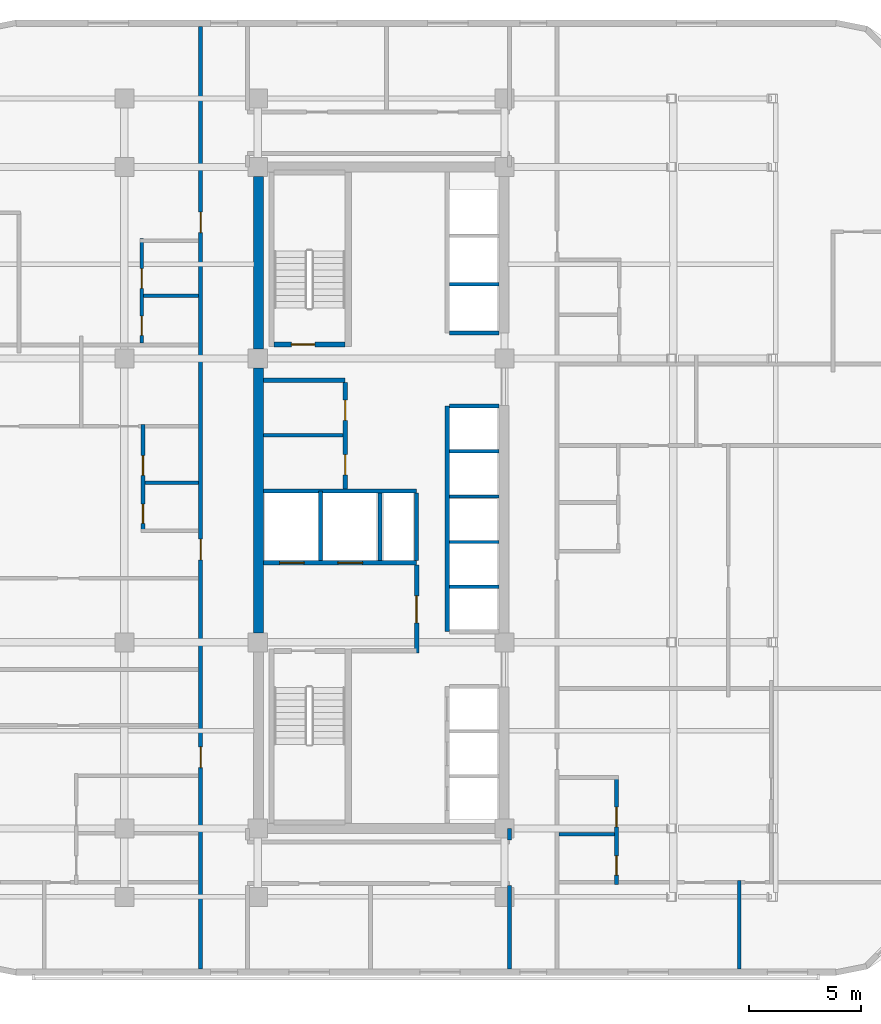
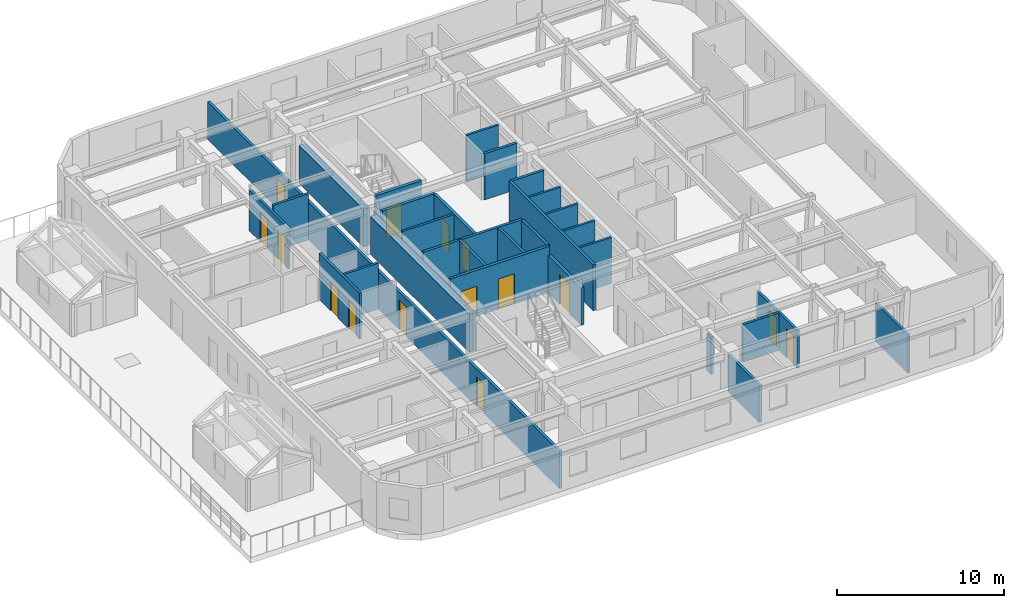
# One storey, part 12 of 19: 30 walls, 15 doors, 15 openings.
"""IFC4 building model written with IfcOpenShell, lengths in metres."""

import ifcopenshell
import ifcopenshell.guid

model = None  # the IFC model being written
_history = None  # IfcOwnerHistory: only IFC2X3 demands one
_inside = {}  # id of a spatial element -> (the spatial element, [elements in it])
_under = {}  # id of a project, library or spatial element -> (it, [spatial elements below it])
_declared = {}  # id of a project -> (the project, [libraries it declares])
_typed = {}  # id of a type object -> (the type object, [elements of that type])
_made_of = {}  # id of a material, layer set ... -> (it, [elements and type objects made of it])


def new_model(schema):
    """Start an empty IFC model of exactly this schema.

    Asked for "IFC4X3", IfcOpenShell would pick the latest addendum, in which some entities
    have other attributes; the version numbers below select the first issue.
    IFC2X3 requires an IfcOwnerHistory on every rooted entity: one is made here for all.
    """
    global model, _history
    if schema == "IFC4X3":
        model = ifcopenshell.file(schema_version=(4, 3, 0, 0))
    else:
        model = ifcopenshell.file(schema=schema)
    _inside.clear()
    _under.clear()
    _declared.clear()
    _typed.clear()
    _made_of.clear()
    _history = None
    if model.schema == "IFC2X3":
        org = make("IfcOrganization", Name="unknown")
        user = make(
            "IfcPersonAndOrganization",
            ThePerson=make("IfcPerson", FamilyName="unknown"),
            TheOrganization=org,
        )
        app = make(
            "IfcApplication",
            ApplicationDeveloper=org,
            Version="unknown",
            ApplicationFullName="unknown",
            ApplicationIdentifier="unknown",
        )
        _history = make(
            "IfcOwnerHistory",
            OwningUser=user,
            OwningApplication=app,
            ChangeAction="ADDED",
            CreationDate=0,
        )
    return model


def make(cls, **values):
    """One entity of the class cls with the attributes given. An attribute that is None is left unset."""
    return model.create_entity(
        cls, **{name: value for name, value in values.items() if value is not None}
    )


def rooted(cls, **values):
    """An entity with a GlobalId (a new one), such as an element, a storey or a relation."""
    return make(cls, GlobalId=ifcopenshell.guid.new(), OwnerHistory=_history, **values)


def si_unit(unit_type, name, prefix=None):
    """IfcSIUnit, for example si_unit("LENGTHUNIT", "METRE", prefix="MILLI")."""
    return make("IfcSIUnit", UnitType=unit_type, Prefix=prefix, Name=name)


def assignment(units):
    """IfcUnitAssignment: the units of a project."""
    return None if units is None else make("IfcUnitAssignment", Units=units)


def point(xyz):
    """IfcCartesianPoint."""
    return None if xyz is None else make("IfcCartesianPoint", Coordinates=xyz)


def direction(xyz):
    """IfcDirection."""
    return None if xyz is None else make("IfcDirection", DirectionRatios=xyz)


def frame(location, z_axis=None, x_axis=None):
    """IfcAxis2Placement3D, a coordinate frame: its origin and axes. An axis left out is left unset."""
    return make(
        "IfcAxis2Placement3D",
        Location=point(location),
        Axis=direction(z_axis),
        RefDirection=direction(x_axis),
    )


def frame_2d(location, x_axis=None):
    """IfcAxis2Placement2D, a coordinate frame in the plane: its origin and x axis."""
    return make(
        "IfcAxis2Placement2D", Location=point(location), RefDirection=direction(x_axis)
    )


def origin():
    """The frame at (0, 0, 0) with its axes left unset."""
    return frame((0.0, 0.0, 0.0))


def place(relative_to, where):
    """IfcLocalPlacement: puts the frame where relative to a parent placement (None: the world)."""
    return make(
        "IfcLocalPlacement", PlacementRelTo=relative_to, RelativePlacement=where
    )


def context(
    kind, dimensions, precision=None, world=None, true_north=None, identifier=None
):
    """IfcGeometricRepresentationContext, for example the 3D "Model" context."""
    return make(
        "IfcGeometricRepresentationContext",
        ContextIdentifier=identifier,
        ContextType=kind,
        CoordinateSpaceDimension=dimensions,
        Precision=precision,
        WorldCoordinateSystem=world,
        TrueNorth=true_north,
    )


def subcontext(parent, identifier, kind, view, scale=None):
    """IfcGeometricRepresentationSubContext, for example "Body" below "Model"."""
    return make(
        "IfcGeometricRepresentationSubContext",
        ContextIdentifier=identifier,
        ContextType=kind,
        ParentContext=parent,
        TargetScale=scale,
        TargetView=view,
    )


def project(units=None, contexts=None):
    """IfcProject with its units and contexts."""
    return rooted(
        "IfcProject",
        Name="project",
        RepresentationContexts=contexts,
        UnitsInContext=assignment(units),
    )


def spatial(cls, under=None, at=None, **own):
    """A site, building, storey or space (cls), placed at a placement, below another one or the project."""
    s = rooted(cls, ObjectPlacement=at, **own)
    if under is not None:
        _under.setdefault(under.id(), (under, []))[1].append(s)
    return s


def profile(cls, at=None, kind="AREA", **sizes):
    """A parametric profile (cls). Its sizes go by their IFC names, for example OverallWidth=200.0."""
    return make(cls, ProfileType=kind, Position=at, **sizes)


def rectangle(**sizes):
    """IfcRectangleProfileDef."""
    return profile("IfcRectangleProfileDef", **sizes)


def extrude(swept, where, along, depth):
    """IfcExtrudedAreaSolid: the profile swept, set in the frame where, extruded along a direction by depth."""
    return make(
        "IfcExtrudedAreaSolid",
        SweptArea=swept,
        Position=where,
        ExtrudedDirection=direction(along),
        Depth=depth,
    )


def shape(context_of_items, identifier, shape_type, items):
    """IfcShapeRepresentation: the items that make up one representation, for example the "Body"."""
    return make(
        "IfcShapeRepresentation",
        ContextOfItems=context_of_items,
        RepresentationIdentifier=identifier,
        RepresentationType=shape_type,
        Items=items,
    )


def material(Name=None, Category=None):
    """IfcMaterial."""
    return make("IfcMaterial", Name=Name, Category=Category)


def layer(
    of_material, thickness, ventilated=None, Name=None, Category=None, Priority=None
):
    """IfcMaterialLayer: one layer of a wall or slab, of a material (None: an air gap)."""
    return make(
        "IfcMaterialLayer",
        Material=of_material,
        LayerThickness=thickness,
        IsVentilated=ventilated,
        Name=Name,
        Category=Category,
        Priority=Priority,
    )


def layer_set(layers, Name=None):
    """IfcMaterialLayerSet."""
    return make("IfcMaterialLayerSet", MaterialLayers=layers, LayerSetName=Name)


def made_of(thing, what):
    """Note that an element or type object is made of a material, layer set ...; save() writes the relation."""
    if what is not None:
        _made_of.setdefault(what.id(), (what, []))[1].append(thing)
    return thing


def type_object(cls, material=None, **own):
    """A type object (cls), such as IfcWallType, which elements share."""
    return made_of(rooted(cls, **own), material)


def element(
    cls,
    number,
    at=None,
    inside=None,
    cuts=None,
    type_object=None,
    material=None,
    context=None,
    identifier="Body",
    shape_type=None,
    held_by="IfcProductDefinitionShape",
    body=None,
    shapes=None,
    **own,
):
    """One element of the class cls, such as IfcWall. Its Tag is "e" and its number.

    at: its placement. inside: the storey or other place that contains it. cuts: it is an
    opening in that element (IfcRelVoidsElement). A single representation is given by context,
    identifier, shape_type and body (its items); several are given by shapes. held_by: the class
    of the entity that holds the representations. save() writes the other relations.
    """
    e = rooted(cls, Tag="e%d" % number, ObjectPlacement=at, **own)
    if body is not None:
        shapes = [shape(context, identifier, shape_type, body)]
    if shapes is not None:
        e.Representation = make(held_by, Representations=shapes)
    if inside is not None:
        _inside.setdefault(inside.id(), (inside, []))[1].append(e)
    if cuts is not None:
        rooted(
            "IfcRelVoidsElement", RelatingBuildingElement=cuts, RelatedOpeningElement=e
        )
    if type_object is not None:
        _typed.setdefault(type_object.id(), (type_object, []))[1].append(e)
    return made_of(e, material)


def fill(opening, filler):
    """IfcRelFillsElement: the door or window that sits in an opening."""
    return rooted(
        "IfcRelFillsElement",
        RelatingOpeningElement=opening,
        RelatedBuildingElement=filler,
    )


def aggregate(whole, parts):
    """IfcRelAggregates: a whole, such as a stair, and the parts it consists of."""
    return rooted("IfcRelAggregates", RelatingObject=whole, RelatedObjects=parts)


def save(model, path):
    """Write the relations noted so far, then the file.

    IfcRelAggregates (storeys below a building ...), IfcRelContainedInSpatialStructure (elements
    in a storey), IfcRelDefinesByType, IfcRelAssociatesMaterial and IfcRelDeclares: one each for
    every whole, place, type object, material and project.
    """
    for whole, parts in _under.values():
        aggregate(whole, parts)
    for where, things in _inside.values():
        rooted(
            "IfcRelContainedInSpatialStructure",
            RelatedElements=things,
            RelatingStructure=where,
        )
    for kind, things in _typed.values():
        rooted("IfcRelDefinesByType", RelatedObjects=things, RelatingType=kind)
    for what, things in _made_of.values():
        rooted("IfcRelAssociatesMaterial", RelatedObjects=things, RelatingMaterial=what)
    for by, libraries in _declared.values():
        rooted("IfcRelDeclares", RelatingContext=by, RelatedDefinitions=libraries)
    model.write(path)


model = new_model("IFC4")

# Units and contexts
model_context = context("Model", 3, precision=1e-05, world=origin(), true_north=direction((0.0, 1.0)))
body_context = subcontext(model_context, "Body", "Model", "MODEL_VIEW")
ifc_project = project(units=[si_unit("LENGTHUNIT", "METRE"), si_unit("AREAUNIT", "SQUARE_METRE"), si_unit("VOLUMEUNIT", "CUBIC_METRE"), si_unit("PLANEANGLEUNIT", "RADIAN"), si_unit("MASSUNIT", "GRAM", prefix="KILO")], contexts=[model_context])

# Site, building, storey
site_placement = place(None, origin())
site = spatial("IfcSite", under=ifc_project, at=site_placement, CompositionType="ELEMENT")
building_placement = place(site_placement, origin())
building = spatial("IfcBuilding", under=site, at=building_placement, Name="Ochreholt Gables", CompositionType="ELEMENT")
storey_placement = place(building_placement, frame((0.0, 0.0, 76.800048828125)))
storey = spatial("IfcBuildingStorey", under=building, at=storey_placement, Name="L19", CompositionType="ELEMENT", Elevation=76.800048828125)

# Walls
ifc_material_1 = material(Name="Concrete 60 MPa", Category="concrete")
ifc_layer_1 = layer(ifc_material_1, 0.449951171875, Name="Concrete 60 MPa")
ifc_layer_set_1 = layer_set([ifc_layer_1], Name="Concrete 60 MPa")
wall_type_1 = type_object("IfcWallType", Name="WALL-CSW-450", PredefinedType="SHEAR", material=ifc_layer_set_1)
wall_1_placement = place(storey_placement, frame((24.22509765625, 17.97509765625, 0.0), z_axis=(0.0, 0.0, 1.0), x_axis=(0.0, 1.0, 0.0)))
element("IfcWall", 1, at=wall_1_placement, inside=storey, type_object=wall_type_1, Name="L19 Core West Shear Wall WM", PredefinedType="SHEAR", context=body_context, shape_type="SweptSolid", body=[
    extrude(rectangle(XDim=11.7998046875, YDim=0.449951171875, at=frame_2d((5.89990234375, 0.0))), origin(), (0.0, 0.0, 1.0), 2.7490234375),
])
wall_2_placement = place(storey_placement, frame((24.22509765625, 30.625, 0.0), z_axis=(0.0, 0.0, 1.0), x_axis=(0.0, 1.0, 0.0)))
element("IfcWall", 2, at=wall_2_placement, inside=storey, type_object=wall_type_1, Name="L19 Core West Shear Wall WN", PredefinedType="SHEAR", context=body_context, shape_type="SweptSolid", body=[
    extrude(rectangle(XDim=7.699951171875, YDim=0.449951171875, at=frame_2d((3.85009765625, 0.0))), origin(), (0.0, 0.0, 1.0), 2.7490234375),
])

# Wall, openings, doors
ifc_material_2 = material(Name="Concrete 40 MPa", Category="concrete")
ifc_layer_2 = layer(ifc_material_2, 0.199951171875, Name="Concrete 40 MPa")
ifc_layer_set_2 = layer_set([ifc_layer_2], Name="Concrete 40 MPa")
wall_type_2 = type_object("IfcWallType", Name="WALL-INT-CF200", PredefinedType="STANDARD", material=ifc_layer_set_2)
wall_3_placement = place(storey_placement, frame((24.449951171875, 21.090087890625, 0.0), z_axis=(0.0, 0.0, 1.0), x_axis=(1.0, 0.0, 0.0)))
wall_3 = element("IfcWall", 3, at=wall_3_placement, inside=storey, type_object=wall_type_2, Name="L19 Interior Wall WI-FFN-L19", PredefinedType="STANDARD", context=body_context, shape_type="SweptSolid", body=[
    extrude(rectangle(XDim=6.830078125, YDim=0.199951171875, at=frame_2d((3.4150390625, 0.0))), origin(), (0.0, 0.0, 1.0), 3.35986328125),
])
opening_1_placement = place(wall_3_placement, frame((0.719970703125, 0.0, 0.0)))
opening_1 = element("IfcOpeningElement", 4, at=opening_1_placement, cuts=wall_3, Name="Opening LD-FF", PredefinedType="OPENING", context=body_context, shape_type="SweptSolid", body=[
    extrude(rectangle(XDim=1.10009765625, YDim=2.199951171875, at=frame_2d((0.550048828125, 1.10009765625))), frame((0.0, 0.10986328125, 0.0), z_axis=(0.0, -1.0, 0.0), x_axis=(1.0, 0.0, 0.0)), (0.0, 0.0, 1.0), 0.219970703125),
])
opening_2_placement = place(wall_3_placement, frame((3.320068359375, 0.0, 0.0)))
opening_2 = element("IfcOpeningElement", 5, at=opening_2_placement, cuts=wall_3, Name="Opening LD-FF", PredefinedType="OPENING", context=body_context, shape_type="SweptSolid", body=[
    extrude(rectangle(XDim=1.10009765625, YDim=2.199951171875, at=frame_2d((0.550048828125, 1.10009765625))), frame((0.0, 0.10986328125, 0.0), z_axis=(0.0, -1.0, 0.0), x_axis=(1.0, 0.0, 0.0)), (0.0, 0.0, 1.0), 0.219970703125),
])
ifc_material_3 = material(Name="Stainless Steel", Category="steel")
door_type_1 = type_object("IfcDoorType", Name="DR-LFT-FF1100", OperationType="NOTDEFINED", PredefinedType="DOOR", material=ifc_material_3)
door_1_placement = place(opening_1_placement, origin())
door_1 = element("IfcDoor", 6, at=door_1_placement, inside=storey, type_object=door_type_1, Name="L19 Door LD-FF1-L19", OperationType="SLIDING_TO_LEFT", OverallHeight=2.199951171875, OverallWidth=1.10009765625, PredefinedType="DOOR", context=body_context, shape_type="SweptSolid", body=[
    extrude(rectangle(XDim=1.10009765625, YDim=2.199951171875, at=frame_2d((0.550048828125, 1.10009765625))), frame((0.0, 0.02490234375, 0.0), z_axis=(0.0, -1.0, 0.0), x_axis=(1.0, 0.0, 0.0)), (0.0, 0.0, 1.0), 0.050048828125),
])
fill(opening_1, door_1)
door_2_placement = place(opening_2_placement, origin())
door_2 = element("IfcDoor", 7, at=door_2_placement, inside=storey, type_object=door_type_1, Name="L19 Door LD-FF2-L19", OperationType="SLIDING_TO_LEFT", OverallHeight=2.199951171875, OverallWidth=1.10009765625, PredefinedType="DOOR", context=body_context, shape_type="SweptSolid", body=[
    extrude(rectangle(XDim=1.10009765625, YDim=2.199951171875, at=frame_2d((0.550048828125, 1.10009765625))), frame((0.0, 0.02490234375, 0.0), z_axis=(0.0, -1.0, 0.0), x_axis=(1.0, 0.0, 0.0)), (0.0, 0.0, 1.0), 0.050048828125),
])
fill(opening_2, door_2)

# Wall, opening, door
wall_4_placement = place(storey_placement, frame((31.280029296875, 17.070068359375, 0.0), z_axis=(0.0, 0.0, 1.0), x_axis=(0.0, 1.0, 0.0)))
wall_4 = element("IfcWall", 8, at=wall_4_placement, inside=storey, type_object=wall_type_2, Name="L19 Interior Wall WI-FFE-L19", PredefinedType="STANDARD", context=body_context, shape_type="SweptSolid", body=[
    extrude(rectangle(XDim=3.919921875, YDim=0.199951171875, at=frame_2d((1.9599609375, 0.0))), origin(), (0.0, 0.0, 1.0), 2.73095703125),
])
opening_3_placement = place(wall_4_placement, frame((1.35009765625, 0.0, 0.0)))
opening_3 = element("IfcOpeningElement", 9, at=opening_3_placement, cuts=wall_4, Name="Opening D-FFL", PredefinedType="OPENING", context=body_context, shape_type="SweptSolid", body=[
    extrude(rectangle(XDim=1.199951171875, YDim=2.14990234375, at=frame_2d((0.60009765625, 1.074951171875))), frame((0.0, 0.10986328125, 0.0), z_axis=(0.0, -1.0, 0.0), x_axis=(1.0, 0.0, 0.0)), (0.0, 0.0, 1.0), 0.219970703125),
])
ifc_material_4 = material(Name="Hollow Metal Steel", Category="steel")
door_type_2 = type_object("IfcDoorType", Name="DR-INT-FFL1200", OperationType="NOTDEFINED", PredefinedType="DOOR", material=ifc_material_4)
door_3_placement = place(opening_3_placement, origin())
door_3 = element("IfcDoor", 10, at=door_3_placement, inside=storey, type_object=door_type_2, Name="L19 Door D-FFL-L19", OperationType="SINGLE_SWING_LEFT", OverallHeight=2.14990234375, OverallWidth=1.199951171875, PredefinedType="DOOR", context=body_context, shape_type="SweptSolid", body=[
    extrude(rectangle(XDim=1.199951171875, YDim=2.14990234375, at=frame_2d((0.60009765625, 1.074951171875))), frame((0.0, 0.02490234375, 0.0), z_axis=(0.0, -1.0, 0.0), x_axis=(1.0, 0.0, 0.0)), (0.0, 0.0, 1.0), 0.050048828125),
])
fill(opening_3, door_3)

# Wall
wall_5_placement = place(storey_placement, frame((24.449951171875, 29.239990234375, 0.0), z_axis=(0.0, 0.0, 1.0), x_axis=(1.0, 0.0, 0.0)))
element("IfcWall", 11, at=wall_5_placement, inside=storey, type_object=wall_type_2, Name="L19 Interior Wall WI-SRVN-L19", PredefinedType="STANDARD", context=body_context, shape_type="SweptSolid", body=[
    extrude(rectangle(XDim=3.650146484375, YDim=0.199951171875, at=frame_2d((1.8251953125, 0.0))), origin(), (0.0, 0.0, 1.0), 3.35986328125),
])

# Wall, openings, doors
wall_6_placement = place(storey_placement, frame((28.10009765625, 24.389892578125, 0.0), z_axis=(0.0, 0.0, 1.0), x_axis=(0.0, 1.0, 0.0)))
wall_6 = element("IfcWall", 12, at=wall_6_placement, inside=storey, type_object=wall_type_2, Name="L19 Interior Wall WI-SRVE-L19", PredefinedType="STANDARD", context=body_context, shape_type="SweptSolid", body=[
    extrude(rectangle(XDim=4.75, YDim=0.199951171875, at=frame_2d((2.375, 0.0))), origin(), (0.0, 0.0, 1.0), 3.35986328125),
])
opening_4_placement = place(wall_6_placement, frame((0.6298828125, 0.0, 0.0)))
opening_4 = element("IfcOpeningElement", 13, at=opening_4_placement, cuts=wall_6, Name="Opening D-SV1", PredefinedType="OPENING", context=body_context, shape_type="SweptSolid", body=[
    extrude(rectangle(XDim=0.89990234375, YDim=2.10009765625, at=frame_2d((0.449951171875, 1.050048828125))), frame((0.0, 0.10986328125, 0.0), z_axis=(0.0, -1.0, 0.0), x_axis=(1.0, 0.0, 0.0)), (0.0, 0.0, 1.0), 0.219970703125),
])
opening_5_placement = place(wall_6_placement, frame((3.06005859375, 0.0, 0.0)))
opening_5 = element("IfcOpeningElement", 14, at=opening_5_placement, cuts=wall_6, Name="Opening D-SV1", PredefinedType="OPENING", context=body_context, shape_type="SweptSolid", body=[
    extrude(rectangle(XDim=0.89990234375, YDim=2.10009765625, at=frame_2d((0.449951171875, 1.050048828125))), frame((0.0, 0.10986328125, 0.0), z_axis=(0.0, -1.0, 0.0), x_axis=(1.0, 0.0, 0.0)), (0.0, 0.0, 1.0), 0.219970703125),
])
door_type_3 = type_object("IfcDoorType", Name="DR-INT-SRV900", OperationType="NOTDEFINED", PredefinedType="DOOR", material=ifc_material_4)
door_4_placement = place(opening_4_placement, origin())
door_4 = element("IfcDoor", 15, at=door_4_placement, inside=storey, type_object=door_type_3, Name="L19 Door D-SRV1-L19", OperationType="SINGLE_SWING_LEFT", OverallHeight=2.10009765625, OverallWidth=0.89990234375, PredefinedType="DOOR", context=body_context, shape_type="SweptSolid", body=[
    extrude(rectangle(XDim=0.89990234375, YDim=2.10009765625, at=frame_2d((0.449951171875, 1.050048828125))), frame((0.0, 0.02490234375, 0.0), z_axis=(0.0, -1.0, 0.0), x_axis=(1.0, 0.0, 0.0)), (0.0, 0.0, 1.0), 0.050048828125),
])
fill(opening_4, door_4)
door_5_placement = place(opening_5_placement, origin())
door_5 = element("IfcDoor", 16, at=door_5_placement, inside=storey, type_object=door_type_3, Name="L19 Door D-SRV2-L19", OperationType="SINGLE_SWING_RIGHT", OverallHeight=2.10009765625, OverallWidth=0.89990234375, PredefinedType="DOOR", context=body_context, shape_type="SweptSolid", body=[
    extrude(rectangle(XDim=0.89990234375, YDim=2.10009765625, at=frame_2d((0.449951171875, 1.050048828125))), frame((0.0, 0.02490234375, 0.0), z_axis=(0.0, -1.0, 0.0), x_axis=(1.0, 0.0, 0.0)), (0.0, 0.0, 1.0), 0.050048828125),
])
fill(opening_5, door_5)

ifc_material_5 = material(Name="Fire-Rated Gypsum Acoustic Partition", Category="gypsum")
ifc_layer_3 = layer(ifc_material_5, 0.179931640625, Name="Fire-Rated Gypsum Acoustic Partition")
ifc_layer_set_3 = layer_set([ifc_layer_3], Name="Fire-Rated Gypsum Acoustic Partition")
wall_type_3 = type_object("IfcWallType", Name="WALL-INT-CR180", PredefinedType="STANDARD", material=ifc_layer_set_3)
wall_7_placement = place(storey_placement, frame((21.64990234375, 2.97998046875, 0.0), z_axis=(0.0, 0.0, 1.0), x_axis=(0.0, 1.0, 0.0)))
wall_7 = element("IfcWall", 17, at=wall_7_placement, inside=storey, type_object=wall_type_3, Name="L19 Interior Wall WI-C1W-L19", PredefinedType="STANDARD", context=body_context, shape_type="SweptSolid", body=[
    extrude(rectangle(XDim=42.0400390625, YDim=0.179931640625, at=frame_2d((21.02001953125, 0.0))), origin(), (0.0, 0.0, 1.0), 2.73095703125),
])
opening_6_placement = place(wall_7_placement, frame((8.98388671875, 0.0, 0.0)))
opening_6 = element("IfcOpeningElement", 18, at=opening_6_placement, cuts=wall_7, Name="Opening D-UN1", PredefinedType="OPENING", context=body_context, shape_type="SweptSolid", body=[
    extrude(rectangle(XDim=0.919921875, YDim=2.14990234375, at=frame_2d((0.4599609375, 1.074951171875))), frame((0.0, 0.099853515625, 0.0), z_axis=(0.0, -1.0, 0.0), x_axis=(1.0, 0.0, 0.0)), (0.0, 0.0, 1.0), 0.199951171875),
])
opening_7_placement = place(wall_7_placement, frame((18.24609375, 0.0, 0.0)))
opening_7 = element("IfcOpeningElement", 19, at=opening_7_placement, cuts=wall_7, Name="Opening D-UN1", PredefinedType="OPENING", context=body_context, shape_type="SweptSolid", body=[
    extrude(rectangle(XDim=0.919921875, YDim=2.14990234375, at=frame_2d((0.4599609375, 1.074951171875))), frame((0.0, 0.099853515625, 0.0), z_axis=(0.0, -1.0, 0.0), x_axis=(1.0, 0.0, 0.0)), (0.0, 0.0, 1.0), 0.199951171875),
])
opening_8_placement = place(wall_7_placement, frame((32.8359375, 0.0, 0.0)))
opening_8 = element("IfcOpeningElement", 20, at=opening_8_placement, cuts=wall_7, Name="Opening D-UN1", PredefinedType="OPENING", context=body_context, shape_type="SweptSolid", body=[
    extrude(rectangle(XDim=0.919921875, YDim=2.14990234375, at=frame_2d((0.4599609375, 1.074951171875))), frame((0.0, 0.099853515625, 0.0), z_axis=(0.0, -1.0, 0.0), x_axis=(1.0, 0.0, 0.0)), (0.0, 0.0, 1.0), 0.199951171875),
])
ifc_material_6 = material(Name="Engineered Oak Timber", Category="wood")
door_type_4 = type_object("IfcDoorType", Name="DR-INT-UNT920", OperationType="NOTDEFINED", PredefinedType="DOOR", material=ifc_material_6)
door_6_placement = place(opening_6_placement, origin())
door_6 = element("IfcDoor", 21, at=door_6_placement, inside=storey, type_object=door_type_4, Name="L19 Door D-U-L19W1-ENT", OperationType="SINGLE_SWING_LEFT", OverallHeight=2.14990234375, OverallWidth=0.919921875, PredefinedType="DOOR", context=body_context, shape_type="SweptSolid", body=[
    extrude(rectangle(XDim=0.919921875, YDim=2.14990234375, at=frame_2d((0.4599609375, 1.074951171875))), frame((0.0, 0.02490234375, 0.0), z_axis=(0.0, -1.0, 0.0), x_axis=(1.0, 0.0, 0.0)), (0.0, 0.0, 1.0), 0.050048828125),
])
fill(opening_6, door_6)
door_7_placement = place(opening_7_placement, origin())
door_7 = element("IfcDoor", 22, at=door_7_placement, inside=storey, type_object=door_type_4, Name="L19 Door D-U-L19W2-ENT", OperationType="SINGLE_SWING_RIGHT", OverallHeight=2.14990234375, OverallWidth=0.919921875, PredefinedType="DOOR", context=body_context, shape_type="SweptSolid", body=[
    extrude(rectangle(XDim=0.919921875, YDim=2.14990234375, at=frame_2d((0.4599609375, 1.074951171875))), frame((0.0, 0.02490234375, 0.0), z_axis=(0.0, -1.0, 0.0), x_axis=(1.0, 0.0, 0.0)), (0.0, 0.0, 1.0), 0.050048828125),
])
fill(opening_7, door_7)
door_8_placement = place(opening_8_placement, origin())
door_8 = element("IfcDoor", 23, at=door_8_placement, inside=storey, type_object=door_type_4, Name="L19 Door D-U-L19W3-ENT", OperationType="SINGLE_SWING_LEFT", OverallHeight=2.14990234375, OverallWidth=0.919921875, PredefinedType="DOOR", context=body_context, shape_type="SweptSolid", body=[
    extrude(rectangle(XDim=0.919921875, YDim=2.14990234375, at=frame_2d((0.4599609375, 1.074951171875))), frame((0.0, 0.02490234375, 0.0), z_axis=(0.0, -1.0, 0.0), x_axis=(1.0, 0.0, 0.0)), (0.0, 0.0, 1.0), 0.050048828125),
])
fill(opening_8, door_8)

# Walls
wall_8_placement = place(storey_placement, frame((35.419921875, 8.739990234375, 0.0), z_axis=(0.0, 0.0, 1.0), x_axis=(0.0, 1.0, 0.0)))
element("IfcWall", 24, at=wall_8_placement, inside=storey, type_object=wall_type_3, Name="L19 Interior Wall WI-C1ESW2-L19", PredefinedType="STANDARD", context=body_context, shape_type="SweptSolid", body=[
    extrude(rectangle(XDim=0.510009765625, YDim=0.179931640625, at=frame_2d((0.2548828125, 0.0))), origin(), (0.0, 0.0, 1.0), 2.73095703125),
])
ifc_material_7 = material(Name="Double-Stud Acoustic Demising Wall", Category="gypsum")
ifc_layer_4 = layer(ifc_material_7, 0.179931640625, Name="Double-Stud Acoustic Demising Wall")
ifc_layer_set_4 = layer_set([ifc_layer_4], Name="Double-Stud Acoustic Demising Wall")
wall_type_4 = type_object("IfcWallType", Name="WALL-INT-DM180", PredefinedType="PARTITIONING", material=ifc_layer_set_4)
wall_9_placement = place(storey_placement, frame((35.419921875, 2.97998046875, 0.0), z_axis=(0.0, 0.0, 1.0), x_axis=(0.0, 1.0, 0.0)))
element("IfcWall", 25, at=wall_9_placement, inside=storey, type_object=wall_type_4, Name="L19 Interior Wall WI-C1ESW-L19", PredefinedType="PARTITIONING", context=body_context, shape_type="SweptSolid", body=[
    extrude(rectangle(XDim=3.72998046875, YDim=0.179931640625, at=frame_2d((1.864990234375, 0.0))), origin(), (0.0, 0.0, 1.0), 2.73095703125),
])

# Wall, openings, doors
ifc_material_8 = material(Name="Moisture-Resistant Plumbing Chase Wall", Category="gypsum")
ifc_layer_5 = layer(ifc_material_8, 0.159912109375, Name="Moisture-Resistant Plumbing Chase Wall")
ifc_layer_set_5 = layer_set([ifc_layer_5], Name="Moisture-Resistant Plumbing Chase Wall")
wall_type_5 = type_object("IfcWallType", Name="WALL-INT-PL160", PredefinedType="PLUMBINGWALL", material=ifc_layer_set_5)
wall_10_placement = place(storey_placement, frame((40.196044921875, 6.75, 0.0), z_axis=(0.0, 0.0, 1.0), x_axis=(0.0, 1.0, 0.0)))
wall_10 = element("IfcWall", 26, at=wall_10_placement, inside=storey, type_object=wall_type_5, Name="L19 Interior Wall WU-L19E1-WX", PredefinedType="PLUMBINGWALL", context=body_context, shape_type="SweptSolid", body=[
    extrude(rectangle(XDim=4.8583984375, YDim=0.159912109375, at=frame_2d((2.42919921875, 0.0))), origin(), (0.0, 0.0, 1.0), 2.73095703125),
])
opening_9_placement = place(wall_10_placement, frame((0.419921875, 0.0, 0.0)))
opening_9 = element("IfcOpeningElement", 27, at=opening_9_placement, cuts=wall_10, Name="Opening D-BT1", PredefinedType="OPENING", context=body_context, shape_type="SweptSolid", body=[
    extrude(rectangle(XDim=0.860107421875, YDim=2.1201171875, at=frame_2d((0.43017578125, 1.06005859375))), frame((0.0, 0.08984375, 0.0), z_axis=(0.0, -1.0, 0.0), x_axis=(1.0, 0.0, 0.0)), (0.0, 0.0, 1.0), 0.179931640625),
])
opening_10_placement = place(wall_10_placement, frame((2.572021484375, 0.0, 0.0)))
opening_10 = element("IfcOpeningElement", 28, at=opening_10_placement, cuts=wall_10, Name="Opening D-GN2", PredefinedType="OPENING", context=body_context, shape_type="SweptSolid", body=[
    extrude(rectangle(XDim=0.8798828125, YDim=2.1201171875, at=frame_2d((0.43994140625, 1.06005859375))), frame((0.0, 0.08984375, 0.0), z_axis=(0.0, -1.0, 0.0), x_axis=(1.0, 0.0, 0.0)), (0.0, 0.0, 1.0), 0.179931640625),
])
door_type_5 = type_object("IfcDoorType", Name="DR-INT-BTH860", OperationType="NOTDEFINED", PredefinedType="DOOR", material=ifc_material_6)
door_9_placement = place(opening_9_placement, origin())
door_9 = element("IfcDoor", 29, at=door_9_placement, inside=storey, type_object=door_type_5, Name="L19 Door D-U-L19E1-BTH", OperationType="SINGLE_SWING_LEFT", OverallHeight=2.1201171875, OverallWidth=0.860107421875, PredefinedType="DOOR", context=body_context, shape_type="SweptSolid", body=[
    extrude(rectangle(XDim=0.860107421875, YDim=2.1201171875, at=frame_2d((0.43017578125, 1.06005859375))), frame((0.0, 0.02490234375, 0.0), z_axis=(0.0, -1.0, 0.0), x_axis=(1.0, 0.0, 0.0)), (0.0, 0.0, 1.0), 0.050048828125),
])
fill(opening_9, door_9)
door_type_6 = type_object("IfcDoorType", Name="DR-INT-GEN880", OperationType="NOTDEFINED", PredefinedType="DOOR", material=ifc_material_6)
door_10_placement = place(opening_10_placement, origin())
door_10 = element("IfcDoor", 30, at=door_10_placement, inside=storey, type_object=door_type_6, Name="L19 Door D-U-L19E1-KIT", OperationType="SINGLE_SWING_RIGHT", OverallHeight=2.1201171875, OverallWidth=0.8798828125, PredefinedType="DOOR", context=body_context, shape_type="SweptSolid", body=[
    extrude(rectangle(XDim=0.8798828125, YDim=2.1201171875, at=frame_2d((0.43994140625, 1.06005859375))), frame((0.0, 0.02490234375, 0.0), z_axis=(0.0, -1.0, 0.0), x_axis=(1.0, 0.0, 0.0)), (0.0, 0.0, 1.0), 0.050048828125),
])
fill(opening_10, door_10)

# Wall
wall_11_placement = place(storey_placement, frame((37.639892578125, 8.9921875, 0.0), z_axis=(0.0, 0.0, 1.0), x_axis=(1.0, 0.0, 0.0)))
element("IfcWall", 31, at=wall_11_placement, inside=storey, type_object=wall_type_5, Name="L19 Interior Wall WU-L19E1-WK", PredefinedType="PLUMBINGWALL", context=body_context, shape_type="SweptSolid", body=[
    extrude(rectangle(XDim=2.47607421875, YDim=0.159912109375, at=frame_2d((1.238037109375, 0.0))), origin(), (0.0, 0.0, 1.0), 2.73095703125),
])

# Wall, openings, doors
wall_12_placement = place(storey_placement, frame((19.080078125, 22.43603515625, 0.0), z_axis=(0.0, 0.0, 1.0), x_axis=(0.0, 1.0, 0.0)))
wall_12 = element("IfcWall", 32, at=wall_12_placement, inside=storey, type_object=wall_type_5, Name="L19 Interior Wall WU-L19W2-WX", PredefinedType="PLUMBINGWALL", context=body_context, shape_type="SweptSolid", body=[
    extrude(rectangle(XDim=4.830078125, YDim=0.159912109375, at=frame_2d((2.4150390625, 0.0))), origin(), (0.0, 0.0, 1.0), 3.35986328125),
])
opening_11_placement = place(wall_12_placement, frame((0.419921875, 0.0, 0.0)))
opening_11 = element("IfcOpeningElement", 33, at=opening_11_placement, cuts=wall_12, Name="Opening D-BT1", PredefinedType="OPENING", context=body_context, shape_type="SweptSolid", body=[
    extrude(rectangle(XDim=0.860107421875, YDim=2.1201171875, at=frame_2d((0.43017578125, 1.06005859375))), frame((0.0, 0.08984375, 0.0), z_axis=(0.0, -1.0, 0.0), x_axis=(1.0, 0.0, 0.0)), (0.0, 0.0, 1.0), 0.179931640625),
])
opening_12_placement = place(wall_12_placement, frame((2.55908203125, 0.0, 0.0)))
opening_12 = element("IfcOpeningElement", 34, at=opening_12_placement, cuts=wall_12, Name="Opening D-GN2", PredefinedType="OPENING", context=body_context, shape_type="SweptSolid", body=[
    extrude(rectangle(XDim=0.8798828125, YDim=2.1201171875, at=frame_2d((0.43994140625, 1.06005859375))), frame((0.0, 0.08984375, 0.0), z_axis=(0.0, -1.0, 0.0), x_axis=(1.0, 0.0, 0.0)), (0.0, 0.0, 1.0), 0.179931640625),
])
door_11_placement = place(opening_11_placement, origin())
door_11 = element("IfcDoor", 35, at=door_11_placement, inside=storey, type_object=door_type_5, Name="L19 Door D-U-L19W2-BTH", OperationType="SINGLE_SWING_LEFT", OverallHeight=2.1201171875, OverallWidth=0.860107421875, PredefinedType="DOOR", context=body_context, shape_type="SweptSolid", body=[
    extrude(rectangle(XDim=0.860107421875, YDim=2.1201171875, at=frame_2d((0.43017578125, 1.06005859375))), frame((0.0, 0.02490234375, 0.0), z_axis=(0.0, -1.0, 0.0), x_axis=(1.0, 0.0, 0.0)), (0.0, 0.0, 1.0), 0.050048828125),
])
fill(opening_11, door_11)
door_12_placement = place(opening_12_placement, origin())
door_12 = element("IfcDoor", 36, at=door_12_placement, inside=storey, type_object=door_type_6, Name="L19 Door D-U-L19W2-KIT", OperationType="SINGLE_SWING_RIGHT", OverallHeight=2.1201171875, OverallWidth=0.8798828125, PredefinedType="DOOR", context=body_context, shape_type="SweptSolid", body=[
    extrude(rectangle(XDim=0.8798828125, YDim=2.1201171875, at=frame_2d((0.43994140625, 1.06005859375))), frame((0.0, 0.02490234375, 0.0), z_axis=(0.0, -1.0, 0.0), x_axis=(1.0, 0.0, 0.0)), (0.0, 0.0, 1.0), 0.050048828125),
])
fill(opening_12, door_12)

# Wall
wall_13_placement = place(storey_placement, frame((19.159912109375, 24.6650390625, 0.0), z_axis=(0.0, 0.0, 1.0), x_axis=(1.0, 0.0, 0.0)))
element("IfcWall", 37, at=wall_13_placement, inside=storey, type_object=wall_type_5, Name="L19 Interior Wall WU-L19W2-WK", PredefinedType="PLUMBINGWALL", context=body_context, shape_type="SweptSolid", body=[
    extrude(rectangle(XDim=2.400146484375, YDim=0.159912109375, at=frame_2d((1.2001953125, 0.0))), origin(), (0.0, 0.0, 1.0), 3.35986328125),
])

# Wall, openings, doors
wall_14_placement = place(storey_placement, frame((19.033935546875, 30.906005859375, 0.0), z_axis=(0.0, 0.0, 1.0), x_axis=(0.0, 1.0, 0.0)))
wall_14 = element("IfcWall", 38, at=wall_14_placement, inside=storey, type_object=wall_type_5, Name="L19 Interior Wall WU-L19W3-WX", PredefinedType="PLUMBINGWALL", context=body_context, shape_type="SweptSolid", body=[
    extrude(rectangle(XDim=4.639892578125, YDim=0.159912109375, at=frame_2d((2.31982421875, 0.0))), origin(), (0.0, 0.0, 1.0), 2.988037109375),
])
opening_13_placement = place(wall_14_placement, frame((0.330078125, 0.0, 0.0)))
opening_13 = element("IfcOpeningElement", 39, at=opening_13_placement, cuts=wall_14, Name="Opening D-BT1", PredefinedType="OPENING", context=body_context, shape_type="SweptSolid", body=[
    extrude(rectangle(XDim=0.860107421875, YDim=2.1201171875, at=frame_2d((0.43017578125, 1.06005859375))), frame((0.0, 0.08984375, 0.0), z_axis=(0.0, -1.0, 0.0), x_axis=(1.0, 0.0, 0.0)), (0.0, 0.0, 1.0), 0.179931640625),
])
opening_14_placement = place(wall_14_placement, frame((2.423095703125, 0.0, 0.0)))
opening_14 = element("IfcOpeningElement", 40, at=opening_14_placement, cuts=wall_14, Name="Opening D-GN2", PredefinedType="OPENING", context=body_context, shape_type="SweptSolid", body=[
    extrude(rectangle(XDim=0.8798828125, YDim=2.1201171875, at=frame_2d((0.43994140625, 1.06005859375))), frame((0.0, 0.08984375, 0.0), z_axis=(0.0, -1.0, 0.0), x_axis=(1.0, 0.0, 0.0)), (0.0, 0.0, 1.0), 0.179931640625),
])
door_13_placement = place(opening_13_placement, origin())
door_13 = element("IfcDoor", 41, at=door_13_placement, inside=storey, type_object=door_type_5, Name="L19 Door D-U-L19W3-BTH", OperationType="SINGLE_SWING_RIGHT", OverallHeight=2.1201171875, OverallWidth=0.860107421875, PredefinedType="DOOR", context=body_context, shape_type="SweptSolid", body=[
    extrude(rectangle(XDim=0.860107421875, YDim=2.1201171875, at=frame_2d((0.43017578125, 1.06005859375))), frame((0.0, 0.02490234375, 0.0), z_axis=(0.0, -1.0, 0.0), x_axis=(1.0, 0.0, 0.0)), (0.0, 0.0, 1.0), 0.050048828125),
])
fill(opening_13, door_13)
door_14_placement = place(opening_14_placement, origin())
door_14 = element("IfcDoor", 42, at=door_14_placement, inside=storey, type_object=door_type_6, Name="L19 Door D-U-L19W3-KIT", OperationType="SINGLE_SWING_LEFT", OverallHeight=2.1201171875, OverallWidth=0.8798828125, PredefinedType="DOOR", context=body_context, shape_type="SweptSolid", body=[
    extrude(rectangle(XDim=0.8798828125, YDim=2.1201171875, at=frame_2d((0.43994140625, 1.06005859375))), frame((0.0, 0.02490234375, 0.0), z_axis=(0.0, -1.0, 0.0), x_axis=(1.0, 0.0, 0.0)), (0.0, 0.0, 1.0), 0.050048828125),
])
fill(opening_14, door_14)

# Walls
wall_15_placement = place(storey_placement, frame((19.114013671875, 32.9990234375, 0.0), z_axis=(0.0, 0.0, 1.0), x_axis=(1.0, 0.0, 0.0)))
element("IfcWall", 43, at=wall_15_placement, inside=storey, type_object=wall_type_5, Name="L19 Interior Wall WU-L19W3-WM", PredefinedType="PLUMBINGWALL", context=body_context, shape_type="SweptSolid", body=[
    extrude(rectangle(XDim=2.446044921875, YDim=0.159912109375, at=frame_2d((1.22314453125, 0.0))), origin(), (0.0, 0.0, 1.0), 3.35986328125),
])
ifc_material_9 = material(Name="Gypsum Acoustic Stud Partition", Category="gypsum")
ifc_layer_6 = layer(ifc_material_9, 0.159912109375, Name="Gypsum Acoustic Stud Partition")
ifc_layer_set_6 = layer_set([ifc_layer_6], Name="Gypsum Acoustic Stud Partition")
wall_type_6 = type_object("IfcWallType", Name="WALL-INT-PT160", PredefinedType="PARTITIONING", material=ifc_layer_set_6)
wall_16_placement = place(storey_placement, frame((24.449951171875, 26.780029296875, 0.0), z_axis=(0.0, 0.0, 1.0), x_axis=(1.0, 0.0, 0.0)))
element("IfcWall", 44, at=wall_16_placement, inside=storey, type_object=wall_type_6, Name="L19 Interior Wall WI-SRVP1-L19", PredefinedType="PARTITIONING", context=body_context, shape_type="SweptSolid", body=[
    extrude(rectangle(XDim=3.550048828125, YDim=0.159912109375, at=frame_2d((1.77490234375, 0.0))), origin(), (0.0, 0.0, 1.0), 3.35986328125),
])
wall_17_placement = place(storey_placement, frame((45.661376953125, 2.97998046875, 0.0), z_axis=(0.0, 0.0, 1.0), x_axis=(0.0, 1.0, 0.0)))
element("IfcWall", 45, at=wall_17_placement, inside=storey, type_object=wall_type_6, Name="L19 Interior Wall WU-L19E1-BSD", PredefinedType="PARTITIONING", context=body_context, shape_type="SweptSolid", body=[
    extrude(rectangle(XDim=3.93994140625, YDim=0.159912109375, at=frame_2d((1.969970703125, 0.0))), origin(), (0.0, 0.0, 1.0), 2.808837890625),
])
ifc_material_10 = material(Name="Gypsum Shaftliner and Steel Stud", Category="steel")
ifc_layer_7 = layer(ifc_material_10, 0.14990234375, Name="Gypsum Shaftliner and Steel Stud")
ifc_layer_set_7 = layer_set([ifc_layer_7], Name="Gypsum Shaftliner and Steel Stud")
wall_type_7 = type_object("IfcWallType", Name="WALL-INT-SH150", PredefinedType="STANDARD", material=ifc_layer_set_7)
for number, where, z_axis, x_axis, name in (
    (46, (32.739990234375, 20.02001953125, 0.0), (0.0, 0.0, 1.0), (1.0, 0.0, 0.0), "L19 Interior Wall WI-LFHE-DH1-L19"),
    (47, (32.739990234375, 22.02001953125, 0.0), (0.0, 0.0, 1.0), (1.0, 0.0, 0.0), "L19 Interior Wall WI-LFHE-DH2-L19"),
    (48, (32.739990234375, 24.050048828125, 0.0), (0.0, 0.0, 1.0), (1.0, 0.0, 0.0), "L19 Interior Wall WI-LFHE-DHE-L19"),
    (49, (32.739990234375, 26.070068359375, 0.0), (0.0, 0.0, 1.0), (1.0, 0.0, 0.0), "L19 Interior Wall WI-LFHE-DEX1-L19"),
    (50, (32.739990234375, 33.52001953125, 0.0), (0.0, 0.0, 1.0), (1.0, 0.0, 0.0), "L19 Interior Wall WI-LFM-D1-L19"),
):
    element("IfcWall", number, at=place(storey_placement, frame(where, z_axis=z_axis, x_axis=x_axis)), inside=storey, type_object=wall_type_7, Name=name, PredefinedType="STANDARD", context=body_context, shape_type="SweptSolid", body=[
        extrude(rectangle(XDim=2.2099609375, YDim=0.14990234375, at=frame_2d((1.10498046875, 0.0))), origin(), (0.0, 0.0, 1.0), 3.35986328125),
    ])
ifc_layer_8 = layer(ifc_material_10, 0.179931640625, Name="Gypsum Shaftliner and Steel Stud")
ifc_layer_set_8 = layer_set([ifc_layer_8], Name="Gypsum Shaftliner and Steel Stud")
wall_type_8 = type_object("IfcWallType", Name="WALL-INT-SH180", PredefinedType="STANDARD", material=ifc_layer_set_8)
wall_18_placement = place(storey_placement, frame((27.0, 21.18994140625, 0.0), z_axis=(0.0, 0.0, 1.0), x_axis=(0.0, 1.0, 0.0)))
element("IfcWall", 51, at=wall_18_placement, inside=storey, type_object=wall_type_8, Name="L19 Interior Wall WI-FFDIV-L19", PredefinedType="STANDARD", context=body_context, shape_type="SweptSolid", body=[
    extrude(rectangle(XDim=3.110107421875, YDim=0.179931640625, at=frame_2d((1.55517578125, 0.0))), origin(), (0.0, 0.0, 1.0), 3.35986328125),
])
wall_19_placement = place(storey_placement, frame((24.449951171875, 24.300048828125, 0.0), z_axis=(0.0, 0.0, 1.0), x_axis=(1.0, 0.0, 0.0)))
element("IfcWall", 52, at=wall_19_placement, inside=storey, type_object=wall_type_8, Name="L19 Interior Wall WI-FFBK-L19", PredefinedType="STANDARD", context=body_context, shape_type="SweptSolid", body=[
    extrude(rectangle(XDim=6.830078125, YDim=0.179931640625, at=frame_2d((3.4150390625, 0.0))), origin(), (0.0, 0.0, 1.0), 3.35986328125),
])
for number, where, z_axis, x_axis, name in (
    (53, (29.64990234375, 21.18994140625, 0.0), (0.0, 0.0, 1.0), (0.0, 1.0, 0.0), "L19 Interior Wall WI-FFSH-L19"),
    (54, (31.280029296875, 21.18994140625, 0.0), (0.0, 0.0, 1.0), (0.0, 1.0, 0.0), "L19 Interior Wall WI-RSE-L19"),
):
    element("IfcWall", number, at=place(storey_placement, frame(where, z_axis=z_axis, x_axis=x_axis)), inside=storey, type_object=wall_type_8, Name=name, PredefinedType="STANDARD", context=body_context, shape_type="SweptSolid", body=[
        extrude(rectangle(XDim=3.02001953125, YDim=0.179931640625, at=frame_2d((1.510009765625, 0.0))), origin(), (0.0, 0.0, 1.0), 3.35986328125),
    ])
wall_20_placement = place(storey_placement, frame((32.64990234375, 18.02001953125, 0.0), z_axis=(0.0, 0.0, 1.0), x_axis=(0.0, 1.0, 0.0)))
element("IfcWall", 55, at=wall_20_placement, inside=storey, type_object=wall_type_8, Name="L19 Interior Wall WI-LFHE-FR-L19", PredefinedType="STANDARD", context=body_context, shape_type="SweptSolid", body=[
    extrude(rectangle(XDim=10.06005859375, YDim=0.179931640625, at=frame_2d((5.030029296875, 0.0))), origin(), (0.0, 0.0, 1.0), 3.35986328125),
])
for number, where, z_axis, x_axis, name in (
    (56, (32.739990234375, 28.080078125, 0.0), (0.0, 0.0, 1.0), (1.0, 0.0, 0.0), "L19 Interior Wall WI-LFHE-N-L19"),
    (57, (32.739990234375, 31.35009765625, 0.0), (0.0, 0.0, 1.0), (1.0, 0.0, 0.0), "L19 Interior Wall WI-LFM-S-L19"),
):
    element("IfcWall", number, at=place(storey_placement, frame(where, z_axis=z_axis, x_axis=x_axis)), inside=storey, type_object=wall_type_8, Name=name, PredefinedType="STANDARD", context=body_context, shape_type="SweptSolid", body=[
        extrude(rectangle(XDim=2.2099609375, YDim=0.179931640625, at=frame_2d((1.10498046875, 0.0))), origin(), (0.0, 0.0, 1.0), 3.35986328125),
    ])

# Wall, opening, door
ifc_material_11 = material(Name="Concrete 50 MPa", Category="concrete")
ifc_layer_9 = layer(ifc_material_11, 0.219970703125, Name="Concrete 50 MPa")
ifc_layer_set_9 = layer_set([ifc_layer_9], Name="Concrete 50 MPa")
wall_type_9 = type_object("IfcWallType", Name="WALL-STW-220", PredefinedType="SHEAR", material=ifc_layer_set_9)
wall_21_placement = place(storey_placement, frame((24.919921875, 30.830078125, 0.0), z_axis=(0.0, 0.0, 1.0), x_axis=(1.0, 0.0, 0.0)))
wall_21 = element("IfcWall", 58, at=wall_21_placement, inside=storey, type_object=wall_type_9, Name="L19 Exit Stair 2 South Wall", PredefinedType="SHEAR", context=body_context, shape_type="SweptSolid", body=[
    extrude(rectangle(XDim=3.16015625, YDim=0.219970703125, at=frame_2d((1.580078125, 0.0))), origin(), (0.0, 0.0, 1.0), 3.35986328125),
])
opening_15_placement = place(wall_21_placement, frame((0.780029296875, 0.0, 0.0)))
opening_15 = element("IfcOpeningElement", 59, at=opening_15_placement, cuts=wall_21, Name="Opening D-STC", PredefinedType="OPENING", context=body_context, shape_type="SweptSolid", body=[
    extrude(rectangle(XDim=1.050048828125, YDim=2.14990234375, at=frame_2d((0.52490234375, 1.074951171875))), frame((0.0, 0.119873046875, 0.0), z_axis=(0.0, -1.0, 0.0), x_axis=(1.0, 0.0, 0.0)), (0.0, 0.0, 1.0), 0.239990234375),
])
door_type_7 = type_object("IfcDoorType", Name="DR-INT-ST1050", OperationType="NOTDEFINED", PredefinedType="DOOR", material=ifc_material_4)
door_15_placement = place(opening_15_placement, origin())
door_15 = element("IfcDoor", 60, at=door_15_placement, inside=storey, type_object=door_type_7, Name="L19 Door D-ST2-L19", OperationType="SINGLE_SWING_RIGHT", OverallHeight=2.14990234375, OverallWidth=1.050048828125, PredefinedType="DOOR", context=body_context, shape_type="SweptSolid", body=[
    extrude(rectangle(XDim=1.050048828125, YDim=2.14990234375, at=frame_2d((0.52490234375, 1.074951171875))), frame((0.0, 0.02490234375, 0.0), z_axis=(0.0, -1.0, 0.0), x_axis=(1.0, 0.0, 0.0)), (0.0, 0.0, 1.0), 0.050048828125),
])
fill(opening_15, door_15)

save(model, "model.ifc")
